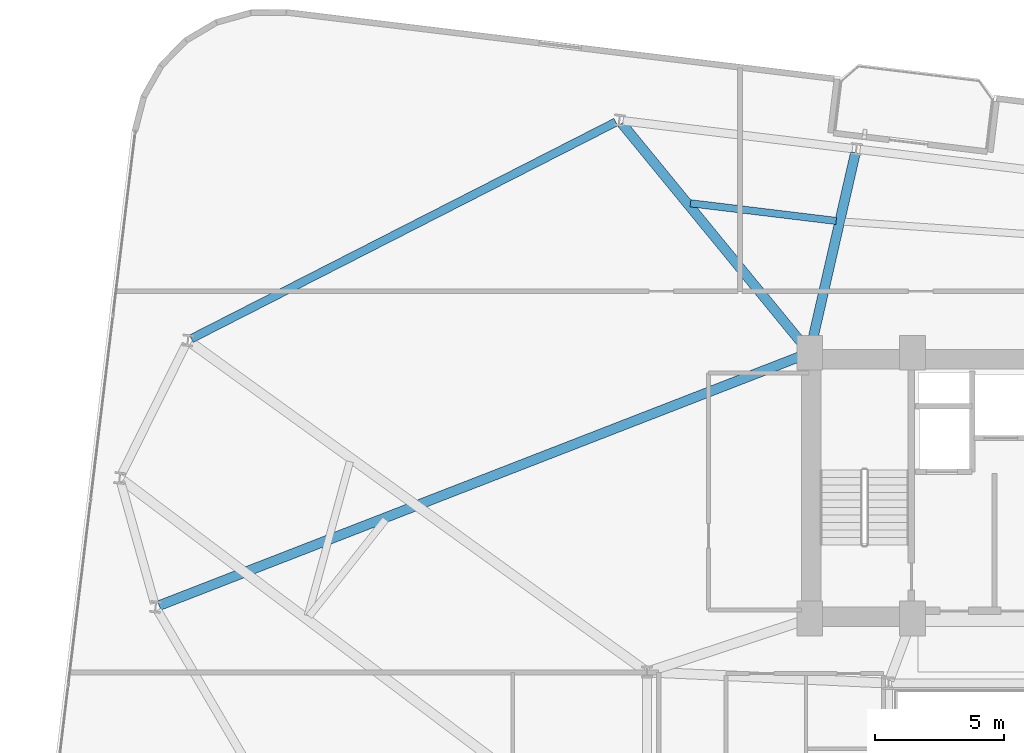
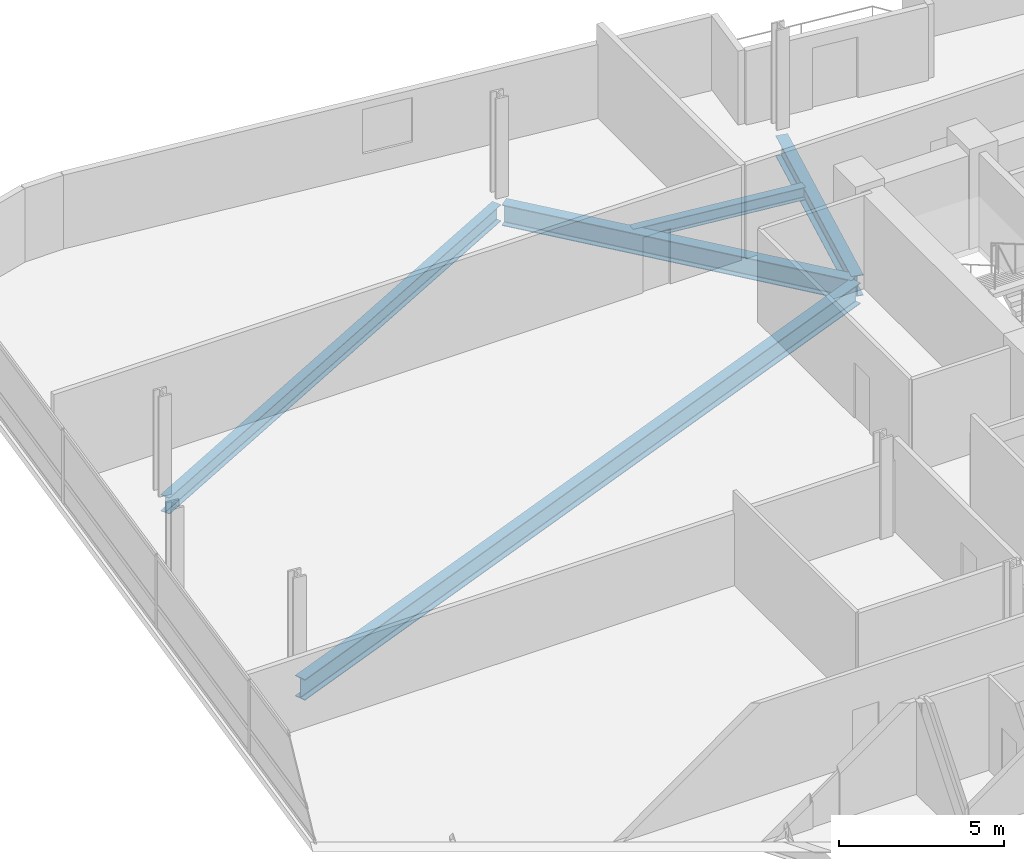
# One storey, part 11 of 25: 5 beams.
"""IFC4 building model written with IfcOpenShell, lengths in metres."""

from ifc_helpers import new_model, si_unit, direction, frame, origin, origin_2d, place, context, subcontext, project, spatial, i_section, extrude, material, material_profile, profile_set, type_object, element, save


model = new_model("IFC4")

# Units and contexts
model_context = context("Model", 3, precision=1e-05, world=origin(), true_north=direction((0.0, 1.0)))
body_context = subcontext(model_context, "Body", "Model", "MODEL_VIEW")
ifc_project = project(units=[si_unit("LENGTHUNIT", "METRE"), si_unit("AREAUNIT", "SQUARE_METRE"), si_unit("VOLUMEUNIT", "CUBIC_METRE"), si_unit("PLANEANGLEUNIT", "RADIAN"), si_unit("MASSUNIT", "GRAM", prefix="KILO")], contexts=[model_context])

# Site, building, storey
site_placement = place(None, origin())
site = spatial("IfcSite", under=ifc_project, at=site_placement, CompositionType="ELEMENT")
building_placement = place(site_placement, origin())
building = spatial("IfcBuilding", under=site, at=building_placement, Name="Varnelok Gate Tower", CompositionType="ELEMENT")
storey_placement = place(building_placement, frame((0.0, 0.0, 132.800048828125)))
storey = spatial("IfcBuildingStorey", under=building, at=storey_placement, Name="L33", CompositionType="ELEMENT", Elevation=132.800048828125)

# Beams
ifc_material = material(Name="Structural Steel ASTM A992 Grade 50", Category="steel")
ifc_material_profile_1 = material_profile(ifc_material, i_section(OverallWidth=0.280029296875, OverallDepth=0.462890625, WebThickness=0.0107421875, FlangeThickness=0.017333984375, FilletRadius=0.014892578125, at=origin_2d()), Name="W18X76")
ifc_profile_set_1 = profile_set([ifc_material_profile_1], Name="Structural Steel ASTM A992 Grade 50")
beam_type_1 = type_object("IfcBeamType", Name="BM-JST-W18X76", PredefinedType="JOIST", material=ifc_profile_set_1)
beam_1_placement = place(storey_placement, frame((31.725830078125, 44.15771484375, -0.4814453125), z_axis=(-0.992732072323, 0.12034547179, 0.0), x_axis=(-0.12034547179, -0.992732072323, 0.0)))
element("IfcBeam", 1, at=beam_1_placement, inside=storey, type_object=beam_type_1, Name="L33 Sector Floor Joist 10", PredefinedType="JOIST", context=body_context, shape_type="SweptSolid", body=[
    extrude(i_section(OverallWidth=0.280029296875, OverallDepth=0.462890625, WebThickness=0.0107421875, FlangeThickness=0.017333984375, FilletRadius=0.014892578125, at=origin_2d()), origin(), (0.0, 0.0, 1.0), 5.686279296875),
])
ifc_material_profile_2 = material_profile(ifc_material, i_section(OverallWidth=0.381103515625, OverallDepth=0.77294921875, WebThickness=0.0166015625, FlangeThickness=0.027099609375, FilletRadius=0.02197265625, at=origin_2d()), Name="W30X173")
ifc_profile_set_2 = profile_set([ifc_material_profile_2], Name="Structural Steel ASTM A992 Grade 50")
beam_type_2 = type_object("IfcBeamType", Name="BM-PRI-W30X173", PredefinedType="BEAM", material=ifc_profile_set_2)
beam_2_placement = place(storey_placement, frame((30.7333984375, 39.1962890625, -0.636474609375), z_axis=(0.223043307507, 0.974808536573, 0.0), x_axis=(-0.974808536573, 0.223043307507, 0.0)))
element("IfcBeam", 2, at=beam_2_placement, inside=storey, type_object=beam_type_2, Name="L33 Radial Floor Girder 12", PredefinedType="BEAM", context=body_context, shape_type="SweptSolid", body=[
    extrude(i_section(OverallWidth=0.381103515625, OverallDepth=0.77294921875, WebThickness=0.0166015625, FlangeThickness=0.027099609375, FilletRadius=0.02197265625, at=origin_2d()), origin(), (0.0, 0.0, 1.0), 7.796875),
])
beam_3_placement = place(storey_placement, frame((30.60498046875, 39.166015625, -0.636474609375), z_axis=(-0.633655000371, 0.773615757663, 0.0), x_axis=(-0.773615757663, -0.633655000371, 0.0)))
element("IfcBeam", 3, at=beam_3_placement, inside=storey, type_object=beam_type_2, Name="L33 Radial Floor Girder 13", PredefinedType="BEAM", context=body_context, shape_type="SweptSolid", body=[
    extrude(i_section(OverallWidth=0.381103515625, OverallDepth=0.77294921875, WebThickness=0.0166015625, FlangeThickness=0.027099609375, FilletRadius=0.02197265625, at=origin_2d()), origin(), (0.0, 0.0, 1.0), 11.341796875),
])
beam_4_placement = place(storey_placement, frame((30.560302734375, 38.99560546875, -0.636474609375), z_axis=(-0.93209869119, -0.362204403454, 0.0), x_axis=(0.362204403454, -0.93209869119, 0.0)))
element("IfcBeam", 4, at=beam_4_placement, inside=storey, type_object=beam_type_2, Name="L33 Radial Floor Girder 16", PredefinedType="BEAM", context=body_context, shape_type="SweptSolid", body=[
    extrude(i_section(OverallWidth=0.381103515625, OverallDepth=0.77294921875, WebThickness=0.0166015625, FlangeThickness=0.027099609375, FilletRadius=0.02197265625, at=origin_2d()), origin(), (0.0, 0.0, 1.0), 26.890869140625),
])
ifc_material_profile_3 = material_profile(ifc_material, i_section(OverallWidth=0.323974609375, OverallDepth=0.611083984375, WebThickness=0.0126953125, FlangeThickness=0.01904296875, FilletRadius=0.01806640625, at=origin_2d()), Name="W24X104")
ifc_profile_set_3 = profile_set([ifc_material_profile_3], Name="Structural Steel ASTM A992 Grade 50")
beam_type_3 = type_object("IfcBeamType", Name="BM-SPN-W24X104", PredefinedType="SPANDREL", material=ifc_profile_set_3)
beam_5_placement = place(storey_placement, frame((23.189697265625, 47.98779296875, -0.5556640625), z_axis=(-0.890729755615, -0.454533279819, 0.0), x_axis=(0.454533279819, -0.890729755615, 0.0)))
element("IfcBeam", 5, at=beam_5_placement, inside=storey, type_object=beam_type_3, Name="L33 Perimeter Spandrel Beam 13", PredefinedType="SPANDREL", context=body_context, shape_type="SweptSolid", body=[
    extrude(i_section(OverallWidth=0.323974609375, OverallDepth=0.611083984375, WebThickness=0.0126953125, FlangeThickness=0.01904296875, FilletRadius=0.01806640625, at=origin_2d()), origin(), (0.0, 0.0, 1.0), 18.466796875),
])

save(model, "model.ifc")
